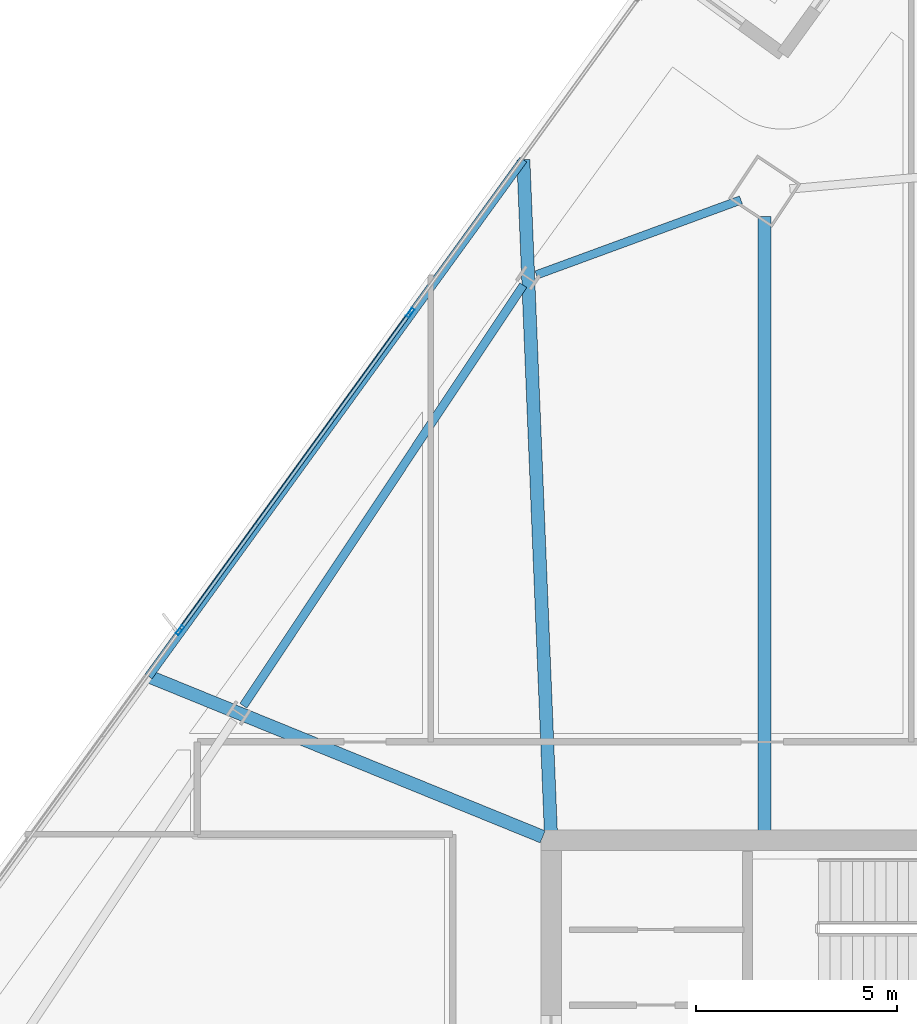
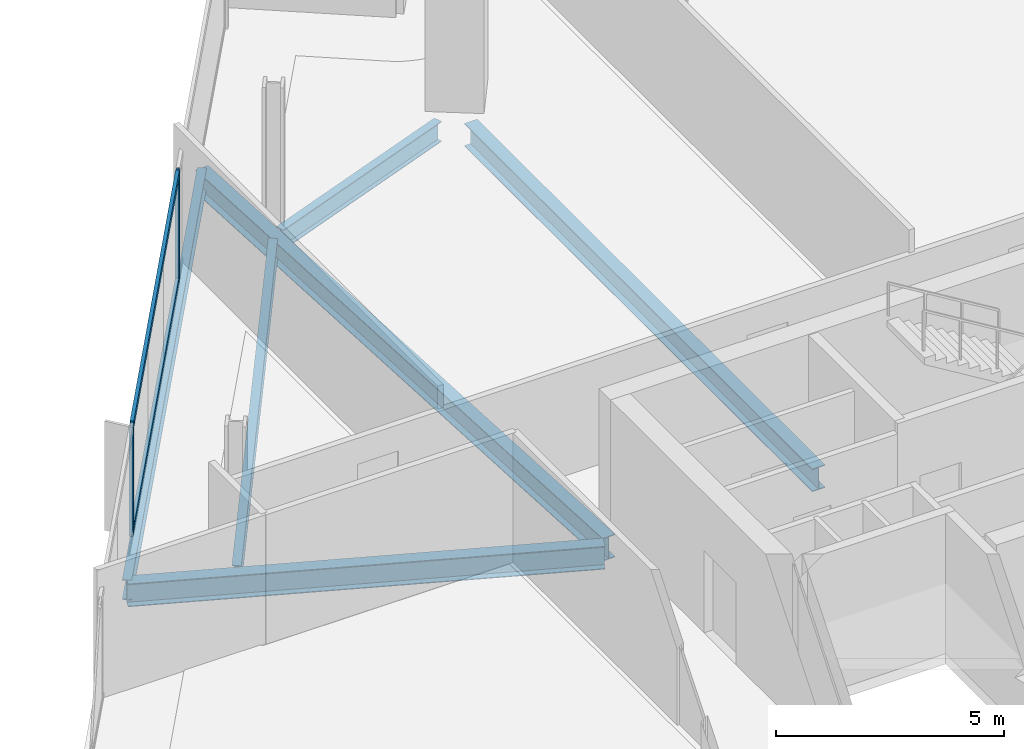
# One storey, part 14 of 29: 6 beams, 4 members, 1 element without a shape of its own.
"""IFC4 building model written with IfcOpenShell, lengths in metres."""

from ifc_helpers import new_model, si_unit, direction, frame, origin, origin_2d, place, context, subcontext, project, spatial, hollow_rectangle, i_section, extrude, material, material_profile, profile_set, type_object, element, aggregate, save


model = new_model("IFC4")

# Units and contexts
model_context = context("Model", 3, precision=1e-05, world=origin(), true_north=direction((0.0, 1.0)))
body_context = subcontext(model_context, "Body", "Model", "MODEL_VIEW")
ifc_project = project(units=[si_unit("LENGTHUNIT", "METRE"), si_unit("AREAUNIT", "SQUARE_METRE"), si_unit("VOLUMEUNIT", "CUBIC_METRE"), si_unit("PLANEANGLEUNIT", "RADIAN"), si_unit("MASSUNIT", "GRAM", prefix="KILO")], contexts=[model_context])

# Site, building, storey
site_placement = place(None, origin())
site = spatial("IfcSite", under=ifc_project, at=site_placement, CompositionType="ELEMENT")
building_placement = place(site_placement, origin())
building = spatial("IfcBuilding", under=site, at=building_placement, Name="Haldenkirk Collegiate Tower", CompositionType="ELEMENT")
storey_placement = place(building_placement, frame((0.0, 0.0, 209.699951171875)))
storey = spatial("IfcBuildingStorey", under=building, at=storey_placement, Name="L52", CompositionType="ELEMENT", Elevation=209.699951171875)

# Beams
ifc_material_1 = material(Name="Steel ASTM A992 Grade 50", Category="steel")
ifc_material_profile_1 = material_profile(ifc_material_1, i_section(OverallWidth=0.324951171875, OverallDepth=0.615966796875, WebThickness=0.013916015625, FlangeThickness=0.021484375, at=origin_2d()), Name="W24X117")
ifc_profile_set_1 = profile_set([ifc_material_profile_1], Name="Steel ASTM A992 Grade 50")
beam_type_1 = type_object("IfcBeamType", Name="BM-GIRDER-W24X117", PredefinedType="BEAM", material=ifc_profile_set_1)
beam_1_placement = place(storey_placement, frame((32.30810546875, 49.5107421875, -0.587890625), z_axis=(0.0, -1.0, 0.0), x_axis=(1.0, 0.0, 0.0)))
element("IfcBeam", 1, at=beam_1_placement, inside=storey, type_object=beam_type_1, Name="L52 primary floor girder 03", PredefinedType="BEAM", context=body_context, shape_type="SweptSolid", body=[
    extrude(i_section(OverallWidth=0.324951171875, OverallDepth=0.615966796875, WebThickness=0.013916015625, FlangeThickness=0.021484375, at=origin_2d()), origin(), (0.0, 0.0, 1.0), 15.28076171875),
])
beam_2_placement = place(storey_placement, frame((26.307373046875, 50.92578125, -0.587890625), z_axis=(0.040880007144, -0.999164063113, 0.0), x_axis=(0.999164063113, 0.040880007144, 0.0)))
element("IfcBeam", 2, at=beam_2_placement, inside=storey, type_object=beam_type_1, Name="L52 primary floor girder 11", PredefinedType="BEAM", context=body_context, shape_type="SweptSolid", body=[
    extrude(i_section(OverallWidth=0.324951171875, OverallDepth=0.615966796875, WebThickness=0.013916015625, FlangeThickness=0.021484375, at=origin_2d()), origin(), (0.0, 0.0, 1.0), 16.7099609375),
])
beam_3_placement = place(storey_placement, frame((16.989013671875, 38.07666015625, -0.587890625), z_axis=(0.926152674148, -0.37714880905, 0.0), x_axis=(0.37714880905, 0.926152674148, 0.0)))
element("IfcBeam", 3, at=beam_3_placement, inside=storey, type_object=beam_type_1, Name="L52 primary floor girder 12", PredefinedType="BEAM", context=body_context, shape_type="SweptSolid", body=[
    extrude(i_section(OverallWidth=0.324951171875, OverallDepth=0.615966796875, WebThickness=0.013916015625, FlangeThickness=0.021484375, at=origin_2d()), origin(), (0.0, 0.0, 1.0), 10.579345703125),
])
ifc_material_profile_2 = material_profile(ifc_material_1, i_section(OverallWidth=0.2099609375, OverallDepth=0.537109375, WebThickness=0.010986328125, FlangeThickness=0.017333984375, at=origin_2d()), Name="W21X68")
ifc_profile_set_2 = profile_set([ifc_material_profile_2], Name="Steel ASTM A992 Grade 50")
beam_type_2 = type_object("IfcBeamType", Name="BM-SPANDREL-W21X68", PredefinedType="SPANDREL", material=ifc_profile_set_2)
beam_4_placement = place(storey_placement, frame((31.716796875, 49.923828125, -0.54833984375), z_axis=(-0.938842319963, -0.344347351153, 0.0), x_axis=(0.344347351153, -0.938842319963, 0.0)))
element("IfcBeam", 4, at=beam_4_placement, inside=storey, type_object=beam_type_2, Name="L52 perimeter spandrel beam 09", PredefinedType="SPANDREL", context=body_context, shape_type="SweptSolid", body=[
    extrude(i_section(OverallWidth=0.2099609375, OverallDepth=0.537109375, WebThickness=0.010986328125, FlangeThickness=0.017333984375, at=origin_2d()), origin(), (0.0, 0.0, 1.0), 5.416748046875),
])
beam_5_placement = place(storey_placement, frame((26.3076171875, 47.80322265625, -0.54833984375), z_axis=(-0.554125989098, -0.832432813028, 0.0), x_axis=(0.832432813028, -0.554125989098, 0.0)))
element("IfcBeam", 5, at=beam_5_placement, inside=storey, type_object=beam_type_2, Name="L52 perimeter spandrel beam 10", PredefinedType="SPANDREL", context=body_context, shape_type="SweptSolid", body=[
    extrude(i_section(OverallWidth=0.2099609375, OverallDepth=0.537109375, WebThickness=0.010986328125, FlangeThickness=0.017333984375, at=origin_2d()), origin(), (0.0, 0.0, 1.0), 12.56201171875),
])
beam_6_placement = place(storey_placement, frame((26.307373046875, 50.92578125, -0.54833984375), z_axis=(-0.587080989278, -0.809528203356, 0.0), x_axis=(0.809528203356, -0.587080989278, 0.0)))
element("IfcBeam", 6, at=beam_6_placement, inside=storey, type_object=beam_type_2, Name="L52 outer facade edge beam 3A", PredefinedType="SPANDREL", context=body_context, shape_type="SweptSolid", body=[
    extrude(i_section(OverallWidth=0.2099609375, OverallDepth=0.537109375, WebThickness=0.010986328125, FlangeThickness=0.017333984375, at=origin_2d()), origin(), (0.0, 0.0, 1.0), 15.872314453125),
])

# Curtain wall, members
ifc_material_2 = material(Name="Anodised architectural bronze aluminium", Category="aluminium")
curtain_wall_type = type_object("IfcCurtainWallType", Name="CW-SYS1B-CONVEX-HI", PredefinedType="USERDEFINED", material=ifc_material_2)
curtain_wall_placement = place(storey_placement, origin())
curtain_wall = element("IfcCurtainWall", 7, at=curtain_wall_placement, inside=storey, type_object=curtain_wall_type, Name="L52 Upper tower high-wind convex bronze unitised curtain wall", ObjectType="UNITISED CURTAIN WALL", PredefinedType="USERDEFINED")
ifc_material_profile_3 = material_profile(ifc_material_2, hollow_rectangle(XDim=0.0849609375, YDim=0.25, WallThickness=0.0048828125, at=origin_2d()), Name="CW-MUL-1B")
ifc_profile_set_3 = profile_set([ifc_material_profile_3], Name="Anodised architectural bronze aluminium")
member_type_1 = type_object("IfcMemberType", Name="CW-MUL-1B", PredefinedType="MULLION", material=ifc_profile_set_3)
member_1_placement = place(storey_placement, frame((17.769287109375, 39.220947265625, 0.0), z_axis=(0.0, 0.0, 1.0), x_axis=(-0.809530136463, 0.5870783237, 0.0)))
member_1 = element("IfcMember", 8, at=member_1_placement, type_object=member_type_1, Name="CW-1B mullion 3", PredefinedType="MULLION", context=body_context, shape_type="SweptSolid", body=[
    extrude(hollow_rectangle(XDim=0.0849609375, YDim=0.25, WallThickness=0.0048828125, at=origin_2d()), origin(), (0.0, 0.0, 1.0), 2.927978515625),
])
member_2_placement = place(storey_placement, frame((23.493408203125, 47.114013671875, 0.0), z_axis=(0.0, 0.0, 1.0), x_axis=(-0.809530136463, 0.5870783237, 0.0)))
member_2 = element("IfcMember", 9, at=member_2_placement, type_object=member_type_1, Name="CW-1B mullion 4", PredefinedType="MULLION", context=body_context, shape_type="SweptSolid", body=[
    extrude(hollow_rectangle(XDim=0.0849609375, YDim=0.25, WallThickness=0.0048828125, at=origin_2d()), origin(), (0.0, 0.0, 1.0), 2.927978515625),
])
ifc_material_profile_4 = material_profile(ifc_material_2, hollow_rectangle(XDim=0.0849609375, YDim=0.199951171875, WallThickness=0.0048828125, at=origin_2d()), Name="CW-TRN-1B")
ifc_profile_set_4 = profile_set([ifc_material_profile_4], Name="Anodised architectural bronze aluminium")
member_type_2 = type_object("IfcMemberType", Name="CW-TRN-1B", PredefinedType="USERDEFINED", material=ifc_profile_set_4)
member_3_placement = place(storey_placement, frame((17.79443359375, 39.25537109375, 0.04248046875), z_axis=(0.587070221512, 0.809536012178, 0.0), x_axis=(-0.809536012178, 0.587070221512, 0.0)))
member_3 = element("IfcMember", 10, at=member_3_placement, type_object=member_type_2, Name="CW-1B transom 3.1", ObjectType="TRANSOM", PredefinedType="USERDEFINED", context=body_context, shape_type="SweptSolid", body=[
    extrude(hollow_rectangle(XDim=0.0849609375, YDim=0.199951171875, WallThickness=0.0048828125, at=origin_2d()), origin(), (0.0, 0.0, 1.0), 9.6650390625),
])
member_4_placement = place(storey_placement, frame((17.79443359375, 39.25537109375, 2.885498046875), z_axis=(0.587070221512, 0.809536012178, 0.0), x_axis=(-0.809536012178, 0.587070221512, 0.0)))
member_4 = element("IfcMember", 11, at=member_4_placement, type_object=member_type_2, Name="CW-1B transom 3.2", ObjectType="TRANSOM", PredefinedType="USERDEFINED", context=body_context, shape_type="SweptSolid", body=[
    extrude(hollow_rectangle(XDim=0.0849609375, YDim=0.199951171875, WallThickness=0.0048828125, at=origin_2d()), origin(), (0.0, 0.0, 1.0), 9.6650390625),
])
aggregate(curtain_wall, [member_1, member_2, member_3, member_4])

save(model, "model.ifc")
